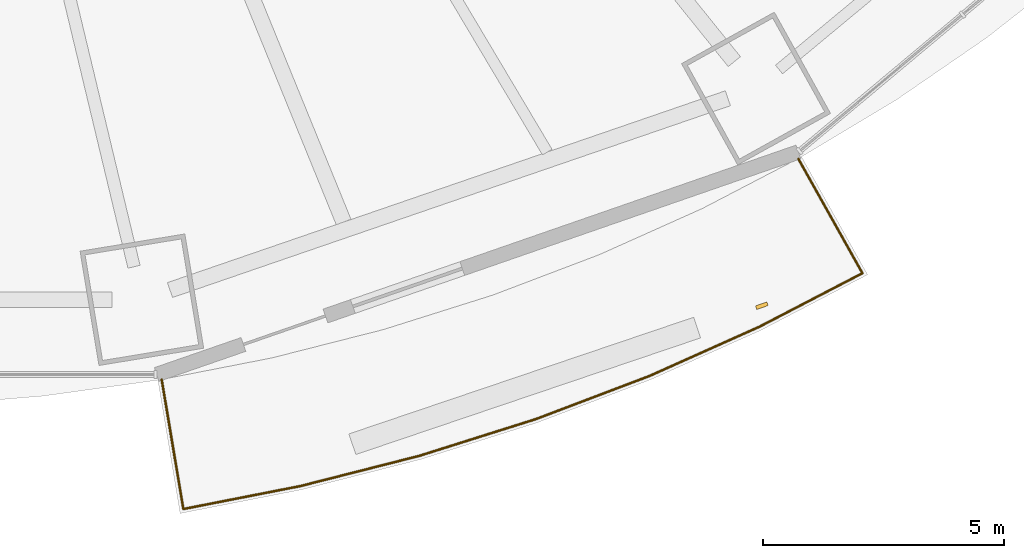
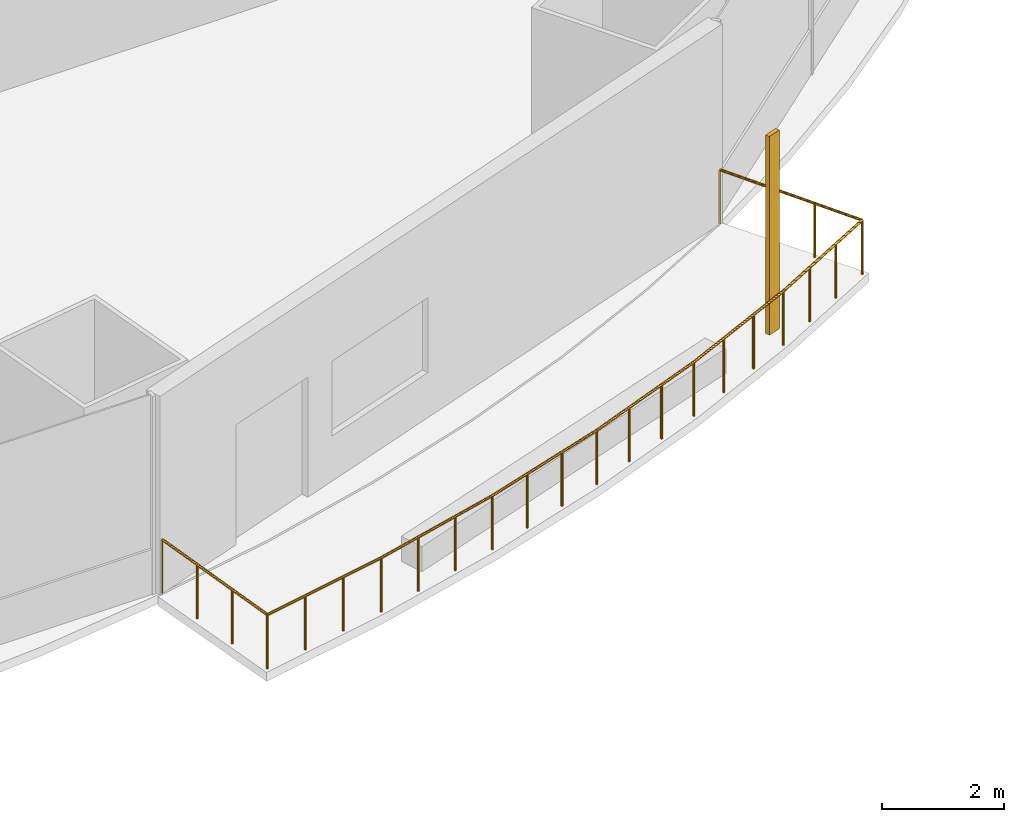
# One storey, part 19 of 23: 1 railing, 1 shading device.
"""IFC4 building model written with IfcOpenShell, lengths in metres."""

from ifc_helpers import new_model, si_unit, direction, frame, origin, origin_2d, place, context, subcontext, project, spatial, rectangle, circle, extrude, material, material_profile, profile_set, type_object, element, save


model = new_model("IFC4")

# Units and contexts
model_context = context("Model", 3, precision=1e-05, world=origin(), true_north=direction((0.0, 1.0)))
body_context = subcontext(model_context, "Body", "Model", "MODEL_VIEW")
ifc_project = project(units=[si_unit("LENGTHUNIT", "METRE"), si_unit("AREAUNIT", "SQUARE_METRE"), si_unit("VOLUMEUNIT", "CUBIC_METRE"), si_unit("PLANEANGLEUNIT", "RADIAN"), si_unit("MASSUNIT", "GRAM", prefix="KILO")], contexts=[model_context])

# Site, building, storey
site_placement = place(None, origin())
site = spatial("IfcSite", under=ifc_project, at=site_placement, CompositionType="ELEMENT")
building_placement = place(site_placement, origin())
building = spatial("IfcBuilding", under=site, at=building_placement, Name="Marenthal Gate Tower", CompositionType="ELEMENT")
storey_placement = place(building_placement, frame((0.0, 0.0, 41.300048828125)))
storey = spatial("IfcBuildingStorey", under=building, at=storey_placement, Name="L06", CompositionType="ELEMENT", Elevation=41.300048828125)

# Railing
ifc_material_1 = material(Name="Stainless steel", Category="steel")
railing_type = type_object("IfcRailingType", Name="Balcony guard 1100", PredefinedType="GUARDRAIL", material=ifc_material_1)
railing_placement = place(storey_placement, frame((20.486328125, -25.814697265625, 0.0)))
element("IfcRailing", 1, at=railing_placement, inside=storey, type_object=railing_type, Name="Balcony guard L06 bay 13", PredefinedType="GUARDRAIL", context=body_context, shape_type="SweptSolid", body=[
    extrude(circle(Radius=0.02392578125, at=origin_2d()), frame((0.0, 0.0, 1.076171875), z_axis=(0.488673415611, -0.872342626214, -0.014718538138), x_axis=(0.872437131701, 0.488726356184, 0.0)), (0.0, 0.0, 1.0), 2.72021484375),
    extrude(circle(Radius=0.02392578125, at=origin_2d()), frame((1.329345703125, -2.373046875, 1.0361328125), z_axis=(-0.887343289023, -0.461109409387, 0.0), x_axis=(0.461109409387, -0.887343289023, 0.0)), (0.0, 0.0, 1.0), 2.401123046875),
    extrude(circle(Radius=0.02392578125, at=origin_2d()), frame((-0.80126953125, -3.480224609375, 1.0361328125), z_axis=(-0.912627469977, -0.4087922468, 0.0), x_axis=(0.4087922468, -0.912627469977, 0.0)), (0.0, 0.0, 1.0), 2.499267578125),
    extrude(circle(Radius=0.02392578125, at=origin_2d()), frame((-3.082275390625, -4.501953125, 1.0361328125), z_axis=(-0.934889862007, -0.354937946572, 0.0), x_axis=(0.354937946572, -0.934889862007, 0.0)), (0.0, 0.0, 1.0), 2.51611328125),
    extrude(circle(Radius=0.02392578125, at=origin_2d()), frame((-5.4345703125, -5.39501953125, 1.0361328125), z_axis=(-0.953699220219, -0.300762027778, 0.0), x_axis=(0.300762027778, -0.953699220219, 0.0)), (0.0, 0.0, 1.0), 2.531005859375),
    extrude(circle(Radius=0.02392578125, at=origin_2d()), frame((-7.848388671875, -6.15625, 1.0361328125), z_axis=(-0.969175134663, -0.246372803593, 0.0), x_axis=(0.246372803593, -0.969175134663, 0.0)), (0.0, 0.0, 1.0), 2.543701171875),
    extrude(circle(Radius=0.02392578125, at=origin_2d()), frame((-10.313720703125, -6.782958984375, 1.0361328125), z_axis=(-0.981295113893, -0.192509478854, 0.0), x_axis=(0.192509478854, -0.981295113893, 0.0)), (0.0, 0.0, 1.0), 2.474365234375),
    extrude(circle(Radius=0.02392578125, at=origin_2d()), frame((-12.74169921875, -7.25927734375, 1.0361328125), z_axis=(-0.164512163182, 0.986265227064, 0.014719036968), x_axis=(-0.986372081632, -0.164529986862, 0.0)), (0.0, 0.0, 1.0), 2.72021484375),
    extrude(circle(Radius=0.02099609375, at=origin_2d()), origin(), (0.0, 0.0, 1.0), 1.052001953125),
    extrude(circle(Radius=0.02099609375, at=origin_2d()), frame((0.443115234375, -0.791015625, -0.013427734375)), (0.0, 0.0, 1.0), 1.052001953125),
    extrude(circle(Radius=0.02099609375, at=origin_2d()), frame((0.88623046875, -1.58203125, -0.026611328125)), (0.0, 0.0, 1.0), 1.052001953125),
    extrude(circle(Radius=0.02099609375, at=origin_2d()), frame((1.329345703125, -2.373046875, -0.0400390625)), (0.0, 0.0, 1.0), 1.052001953125),
    extrude(circle(Radius=0.02099609375, at=origin_2d()), frame((0.619140625, -2.7421875, -0.0400390625)), (0.0, 0.0, 1.0), 1.052001953125),
    extrude(circle(Radius=0.02099609375, at=origin_2d()), frame((-0.091064453125, -3.111083984375, -0.0400390625)), (0.0, 0.0, 1.0), 1.052001953125),
    extrude(circle(Radius=0.02099609375, at=origin_2d()), frame((-0.80126953125, -3.480224609375, -0.0400390625)), (0.0, 0.0, 1.0), 1.052001953125),
    extrude(circle(Radius=0.02099609375, at=origin_2d()), frame((-1.5615234375, -3.82080078125, -0.0400390625)), (0.0, 0.0, 1.0), 1.052001953125),
    extrude(circle(Radius=0.02099609375, at=origin_2d()), frame((-2.322021484375, -4.161376953125, -0.0400390625)), (0.0, 0.0, 1.0), 1.052001953125),
    extrude(circle(Radius=0.02099609375, at=origin_2d()), frame((-3.082275390625, -4.501953125, -0.0400390625)), (0.0, 0.0, 1.0), 1.052001953125),
    extrude(circle(Radius=0.02099609375, at=origin_2d()), frame((-3.866455078125, -4.799560546875, -0.0400390625)), (0.0, 0.0, 1.0), 1.052001953125),
    extrude(circle(Radius=0.02099609375, at=origin_2d()), frame((-4.650390625, -5.097412109375, -0.0400390625)), (0.0, 0.0, 1.0), 1.052001953125),
    extrude(circle(Radius=0.02099609375, at=origin_2d()), frame((-5.4345703125, -5.39501953125, -0.0400390625)), (0.0, 0.0, 1.0), 1.052001953125),
    extrude(circle(Radius=0.02099609375, at=origin_2d()), frame((-6.2392578125, -5.648681640625, -0.0400390625)), (0.0, 0.0, 1.0), 1.052001953125),
    extrude(circle(Radius=0.02099609375, at=origin_2d()), frame((-7.043701171875, -5.902587890625, -0.0400390625)), (0.0, 0.0, 1.0), 1.052001953125),
    extrude(circle(Radius=0.02099609375, at=origin_2d()), frame((-7.848388671875, -6.15625, -0.0400390625)), (0.0, 0.0, 1.0), 1.052001953125),
    extrude(circle(Radius=0.02099609375, at=origin_2d()), frame((-8.670166015625, -6.365234375, -0.0400390625)), (0.0, 0.0, 1.0), 1.052001953125),
    extrude(circle(Radius=0.02099609375, at=origin_2d()), frame((-9.491943359375, -6.573974609375, -0.0400390625)), (0.0, 0.0, 1.0), 1.052001953125),
    extrude(circle(Radius=0.02099609375, at=origin_2d()), frame((-10.313720703125, -6.782958984375, -0.0400390625)), (0.0, 0.0, 1.0), 1.052001953125),
    extrude(circle(Radius=0.02099609375, at=origin_2d()), frame((-11.123046875, -6.941650390625, -0.0400390625)), (0.0, 0.0, 1.0), 1.052001953125),
    extrude(circle(Radius=0.02099609375, at=origin_2d()), frame((-11.932373046875, -7.1005859375, -0.0400390625)), (0.0, 0.0, 1.0), 1.052001953125),
    extrude(circle(Radius=0.02099609375, at=origin_2d()), frame((-12.74169921875, -7.25927734375, -0.0400390625)), (0.0, 0.0, 1.0), 1.052001953125),
    extrude(circle(Radius=0.02099609375, at=origin_2d()), frame((-12.890869140625, -6.364990234375, -0.026611328125)), (0.0, 0.0, 1.0), 1.052001953125),
    extrude(circle(Radius=0.02099609375, at=origin_2d()), frame((-13.0400390625, -5.470703125, -0.013427734375)), (0.0, 0.0, 1.0), 1.052001953125),
    extrude(circle(Radius=0.02099609375, at=origin_2d()), frame((-13.189208984375, -4.576416015625, 0.0)), (0.0, 0.0, 1.0), 1.052001953125),
])

# Shading device
ifc_material_2 = material(Name="Terracotta", Category="masonry")
ifc_material_profile = material_profile(ifc_material_2, rectangle(XDim=0.25, YDim=0.080078125, at=origin_2d()), Name="Terracotta baguette 250x80")
ifc_profile_set = profile_set([ifc_material_profile], Name="Terracotta")
shading_device_type = type_object("IfcShadingDeviceType", Name="Terracotta BAGUETTE SCREEN 250x80", PredefinedType="USERDEFINED", material=ifc_profile_set)
shading_device_placement = place(storey_placement, frame((19.730712890625, -28.861572265625, -0.0400390625), z_axis=(0.0, 0.0, 1.0), x_axis=(0.944708230663, 0.327912120725, 0.0)))
element("IfcShadingDevice", 2, at=shading_device_placement, inside=storey, type_object=shading_device_type, Name="Terracotta BAGUETTE L06 bay 13R", ObjectType="BAGUETTE SCREEN", PredefinedType="USERDEFINED", context=body_context, shape_type="SweptSolid", body=[
    extrude(rectangle(XDim=0.25, YDim=0.080078125, at=origin_2d()), origin(), (0.0, 0.0, 1.0), 3.969970703125),
])

save(model, "model.ifc")
